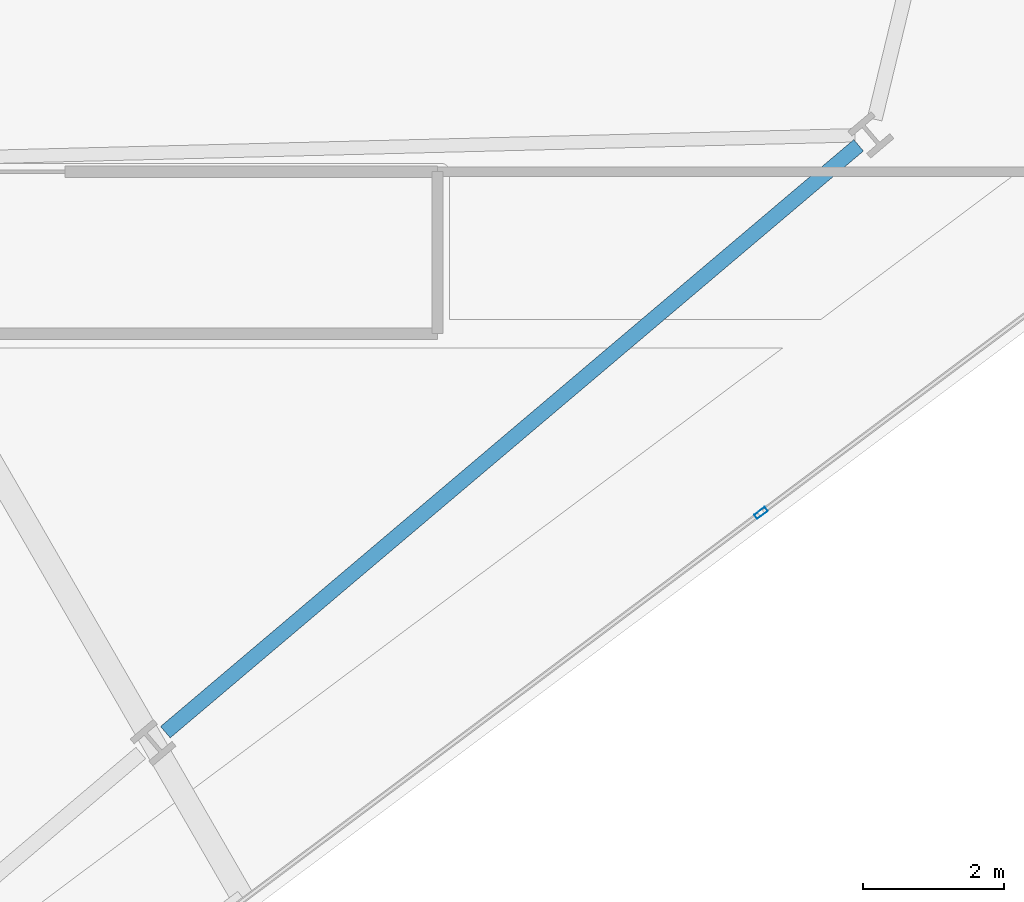
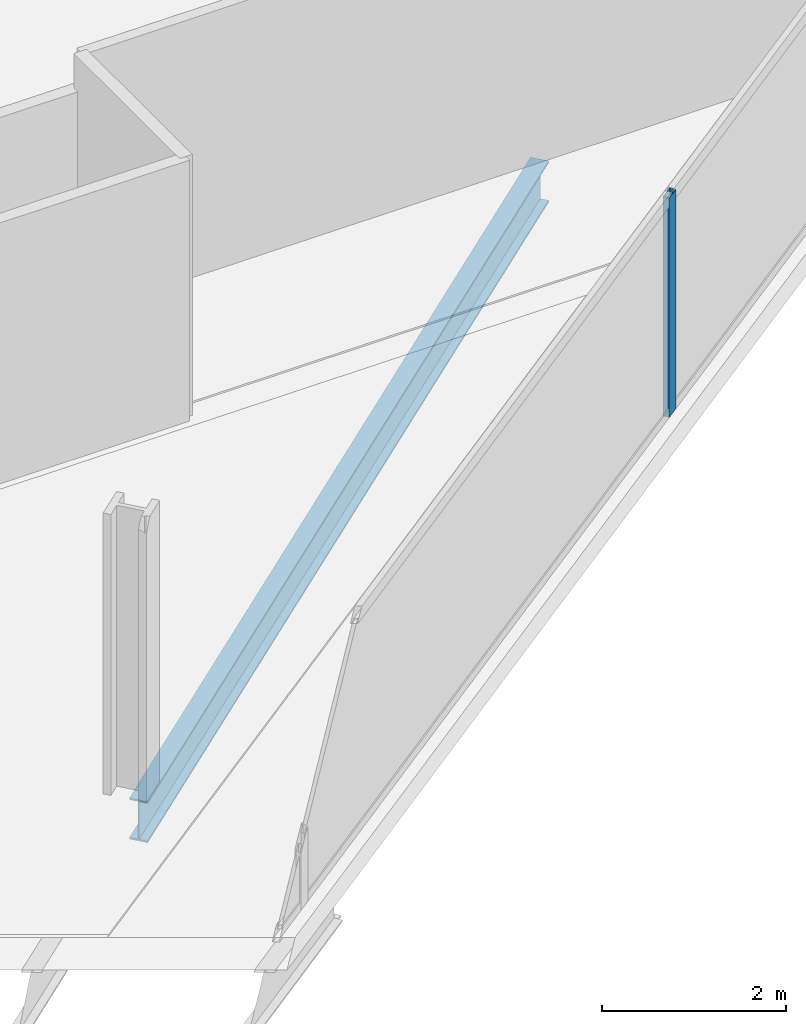
# One storey, part 9 of 32: 1 beam, 1 member, 1 element without a shape of its own.
"""IFC4 building model written with IfcOpenShell, lengths in metres."""

from ifc_helpers import new_model, si_unit, direction, frame, origin, origin_2d, place, context, subcontext, project, spatial, hollow_rectangle, i_section, extrude, material, material_profile, profile_set, type_object, element, aggregate, save


model = new_model("IFC4")

# Units and contexts
model_context = context("Model", 3, precision=1e-05, world=origin(), true_north=direction((0.0, 1.0)))
body_context = subcontext(model_context, "Body", "Model", "MODEL_VIEW")
ifc_project = project(units=[si_unit("LENGTHUNIT", "METRE"), si_unit("AREAUNIT", "SQUARE_METRE"), si_unit("VOLUMEUNIT", "CUBIC_METRE"), si_unit("PLANEANGLEUNIT", "RADIAN"), si_unit("MASSUNIT", "GRAM", prefix="KILO")], contexts=[model_context])

# Site, building, storey
site_placement = place(None, origin())
site = spatial("IfcSite", under=ifc_project, at=site_placement, CompositionType="ELEMENT")
building_placement = place(site_placement, origin())
building = spatial("IfcBuilding", under=site, at=building_placement, Name="Haldenkirk Collegiate Tower", CompositionType="ELEMENT")
storey_placement = place(building_placement, frame((0.0, 0.0, 151.949951171875)))
storey = spatial("IfcBuildingStorey", under=building, at=storey_placement, Name="L37", CompositionType="ELEMENT", Elevation=151.949951171875)

# Beam
ifc_material_1 = material(Name="Steel ASTM A992 Grade 50", Category="steel")
ifc_material_profile_1 = material_profile(ifc_material_1, i_section(OverallWidth=0.2119140625, OverallDepth=0.5439453125, WebThickness=0.01318359375, FlangeThickness=0.021240234375, at=origin_2d()), Name="W21X83")
ifc_profile_set_1 = profile_set([ifc_material_profile_1], Name="Steel ASTM A992 Grade 50")
beam_type = type_object("IfcBeamType", Name="BM-SPANDREL-W21X83", PredefinedType="SPANDREL", material=ifc_profile_set_1)
beam_placement = place(storey_placement, frame((49.937255859375, 9.89111328125, -0.56201171875), z_axis=(0.763233335078, 0.646122957514, 0.0), x_axis=(-0.646122957514, 0.763233335078, 0.0)))
element("IfcBeam", 1, at=beam_placement, inside=storey, type_object=beam_type, Name="L37 perimeter spandrel beam 03", PredefinedType="SPANDREL", context=body_context, shape_type="SweptSolid", body=[
    extrude(i_section(OverallWidth=0.2119140625, OverallDepth=0.5439453125, WebThickness=0.01318359375, FlangeThickness=0.021240234375, at=origin_2d()), origin(), (0.0, 0.0, 1.0), 12.898193359375),
])

# Curtain wall, member
ifc_material_2 = material(Name="Anodised architectural bronze aluminium", Category="aluminium")
curtain_wall_type = type_object("IfcCurtainWallType", Name="CW-SYS2-CONCAVE", PredefinedType="USERDEFINED", material=ifc_material_2)
curtain_wall_placement = place(storey_placement, origin())
curtain_wall = element("IfcCurtainWall", 2, at=curtain_wall_placement, inside=storey, type_object=curtain_wall_type, Name="L37 South concave recessed bronze-anodised curtain wall", ObjectType="UNITISED CURTAIN WALL", PredefinedType="USERDEFINED")
ifc_material_profile_2 = material_profile(ifc_material_2, hollow_rectangle(XDim=0.074951171875, YDim=0.18994140625, WallThickness=0.0048828125, at=origin_2d()), Name="CW-MUL-02")
ifc_profile_set_2 = profile_set([ifc_material_profile_2], Name="Anodised architectural bronze aluminium")
member_type = type_object("IfcMemberType", Name="CW-MUL-02", PredefinedType="MULLION", material=ifc_profile_set_2)
member_placement = place(storey_placement, frame((58.396240234375, 13.006591796875, 0.0), z_axis=(0.0, 0.0, 1.0), x_axis=(0.599025366751, -0.800730048136, 0.0)))
member = element("IfcMember", 3, at=member_placement, type_object=member_type, Name="CW-02 mullion 2", PredefinedType="MULLION", context=body_context, shape_type="SweptSolid", body=[
    extrude(hollow_rectangle(XDim=0.074951171875, YDim=0.18994140625, WallThickness=0.0048828125, at=origin_2d()), origin(), (0.0, 0.0, 1.0), 2.9111328125),
])
aggregate(curtain_wall, [member])

save(model, "model.ifc")
